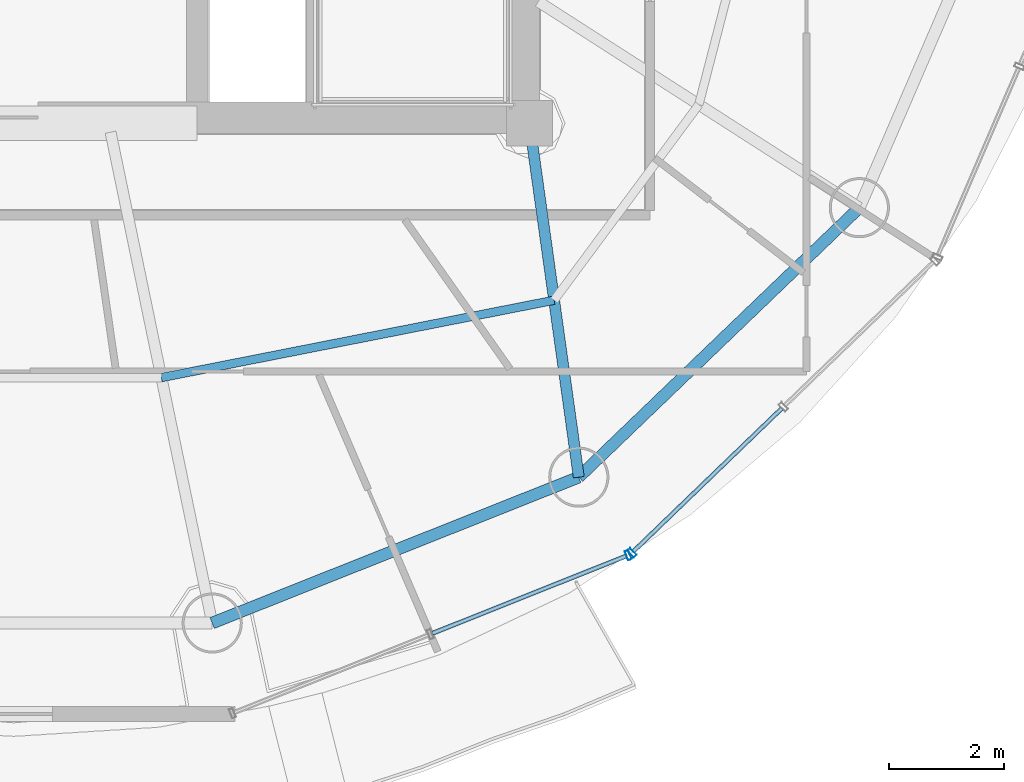
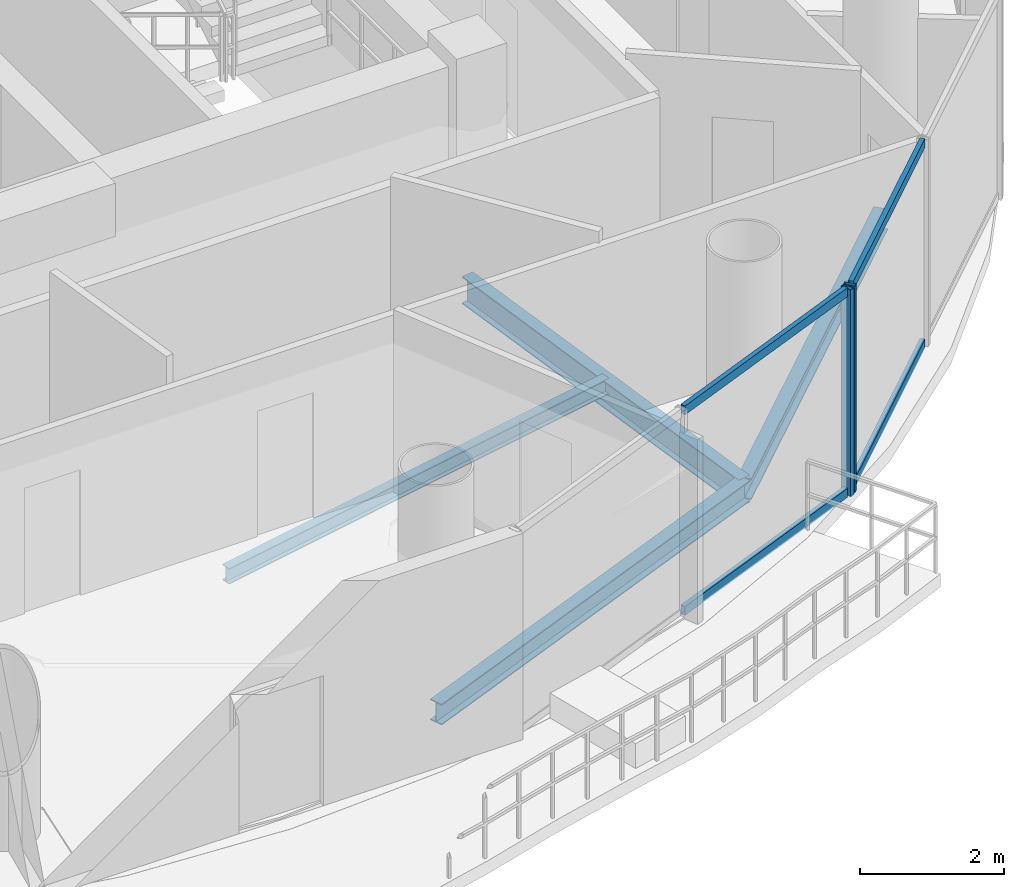
# One storey, part 6 of 23: 6 members, 4 beams, 2 elements without a shape of their own.
"""IFC4 building model written with IfcOpenShell, lengths in metres."""

from ifc_helpers import new_model, si_unit, direction, frame, origin, origin_2d, place, context, subcontext, project, spatial, hollow_rectangle, i_section, extrude, source, transform, mapped, material, material_profile, profile_set, type_object, element, aggregate, save


model = new_model("IFC4")

# Units and contexts
model_context = context("Model", 3, precision=1e-05, world=origin(), true_north=direction((-0.2419218956, 0.970295726276)))
body_context = subcontext(model_context, "Body", "Model", "MODEL_VIEW")
ifc_project = project(units=[si_unit("LENGTHUNIT", "METRE"), si_unit("AREAUNIT", "SQUARE_METRE"), si_unit("VOLUMEUNIT", "CUBIC_METRE"), si_unit("PLANEANGLEUNIT", "RADIAN"), si_unit("MASSUNIT", "GRAM", prefix="KILO")], contexts=[model_context])

# Site, building, storey
site_placement = place(None, origin())
site = spatial("IfcSite", under=ifc_project, at=site_placement, CompositionType="ELEMENT")
building_placement = place(site_placement, origin())
building = spatial("IfcBuilding", under=site, at=building_placement, Name="Cobrevalo Terracotta Tower", CompositionType="ELEMENT")
storey_placement = place(building_placement, frame((0.0, 0.0, 266.949951171875)))
storey = spatial("IfcBuildingStorey", under=building, at=storey_placement, Name="L70", CompositionType="ELEMENT", Elevation=266.949951171875)

# Beams
ifc_material_1 = material(Name="Steel S355", Category="steel")
ifc_material_profile_1 = material_profile(ifc_material_1, i_section(OverallWidth=0.19091796875, OverallDepth=0.4599609375, WebThickness=0.010009765625, FlangeThickness=0.01611328125, at=origin_2d()), Name="W 460x82")
ifc_profile_set_1 = profile_set([ifc_material_profile_1], Name="Steel S355")
beam_type_1 = type_object("IfcBeamType", Name="Structural Beam W 460x82 (Steel S355)", PredefinedType="BEAM", material=ifc_profile_set_1)
beam_1_placement = place(storey_placement, frame((47.861328125, 12.62353515625, -0.489990234375), z_axis=(-0.138115657759, 0.990416107039, 0.0), x_axis=(-0.990416107039, -0.138115657759, 0.0)))
element("IfcBeam", 1, at=beam_1_placement, inside=storey, type_object=beam_type_1, Name="L70 radial floor girder 14", PredefinedType="BEAM", context=body_context, shape_type="SweptSolid", body=[
    extrude(i_section(OverallWidth=0.19091796875, OverallDepth=0.4599609375, WebThickness=0.010009765625, FlangeThickness=0.01611328125, at=origin_2d()), origin(), (0.0, 0.0, 1.0), 6.236328125),
])
ifc_material_profile_2 = material_profile(ifc_material_1, i_section(OverallWidth=0.14794921875, OverallDepth=0.26611328125, WebThickness=0.007568359375, FlangeThickness=0.012939453125, at=origin_2d()), Name="W 250x44.8")
ifc_profile_set_2 = profile_set([ifc_material_profile_2], Name="Steel S355")
beam_type_2 = type_object("IfcBeamType", Name="Structural Joist W 250x44.8 (Steel S355)", PredefinedType="JOIST", material=ifc_profile_set_2)
beam_2_placement = place(storey_placement, frame((40.57568359375, 14.361328125, -0.39306640625), z_axis=(0.981145060421, 0.193272787563, 0.0), x_axis=(-0.193272787563, 0.981145060421, 0.0)))
element("IfcBeam", 2, at=beam_2_placement, inside=storey, type_object=beam_type_2, Name="L70 circumferential secondary floor joist 13", PredefinedType="JOIST", context=body_context, shape_type="SweptSolid", body=[
    extrude(i_section(OverallWidth=0.14794921875, OverallDepth=0.26611328125, WebThickness=0.007568359375, FlangeThickness=0.012939453125, at=origin_2d()), origin(), (0.0, 0.0, 1.0), 6.98681640625),
])
ifc_material_profile_3 = material_profile(ifc_material_1, i_section(OverallWidth=0.205078125, OverallDepth=0.35400390625, WebThickness=0.009521484375, FlangeThickness=0.016845703125, at=origin_2d()), Name="W 360x79")
ifc_profile_set_3 = profile_set([ifc_material_profile_3], Name="Steel S355")
beam_type_3 = type_object("IfcBeamType", Name="Structural Spandrel W 360x79 (Steel S355)", PredefinedType="SPANDREL", material=ifc_profile_set_3)
beam_3_placement = place(storey_placement, frame((41.462890625, 10.07763671875, -0.43701171875), z_axis=(0.929149986048, 0.369702993533, 0.0), x_axis=(-0.369702993533, 0.929149986048, 0.0)))
element("IfcBeam", 3, at=beam_3_placement, inside=storey, type_object=beam_type_3, Name="L70 perimeter ring spandrel 13", PredefinedType="SPANDREL", context=body_context, shape_type="SweptSolid", body=[
    extrude(i_section(OverallWidth=0.205078125, OverallDepth=0.35400390625, WebThickness=0.009521484375, FlangeThickness=0.016845703125, at=origin_2d()), origin(), (0.0, 0.0, 1.0), 6.88623046875),
])
beam_4_placement = place(storey_placement, frame((47.861328125, 12.62353515625, -0.43701171875), z_axis=(0.721183246144, 0.692744343522, 0.0), x_axis=(-0.692744343522, 0.721183246144, 0.0)))
element("IfcBeam", 4, at=beam_4_placement, inside=storey, type_object=beam_type_3, Name="L70 perimeter ring spandrel 14", PredefinedType="SPANDREL", context=body_context, shape_type="SweptSolid", body=[
    extrude(i_section(OverallWidth=0.205078125, OverallDepth=0.35400390625, WebThickness=0.009521484375, FlangeThickness=0.016845703125, at=origin_2d()), origin(), (0.0, 0.0, 1.0), 6.79052734375),
])

# Curtain wall, member
ifc_material_2 = material(Name="Anodized aluminium", Category="aluminium")
curtain_wall_type = type_object("IfcCurtainWallType", Name="Upper-tower triple-glazed penthouse curtain wall CW-U3", PredefinedType="NOTDEFINED", material=ifc_material_2)
curtain_wall_1_placement = place(storey_placement, origin())
curtain_wall_1 = element("IfcCurtainWall", 5, at=curtain_wall_1_placement, inside=storey, type_object=curtain_wall_type, Name="L70 curtain wall CW-L70-S13", PredefinedType="NOTDEFINED")
ifc_material_profile_4 = material_profile(ifc_material_2, hollow_rectangle(XDim=0.070068359375, YDim=0.169921875, WallThickness=0.00439453125, at=origin_2d()), Name="CWM 70x170")
ifc_profile_set_4 = profile_set([ifc_material_profile_4], Name="Anodized aluminium")
member_type_1 = type_object("IfcMemberType", Name="Upper tower unitised mullion 70x170", PredefinedType="MULLION", material=ifc_profile_set_4)
shared_shape_1 = source(origin(), body_context, "Body", "SweptSolid", [
    extrude(hollow_rectangle(XDim=0.070068359375, YDim=0.169921875, WallThickness=0.00439453125, at=origin_2d()), origin(), (0.0, 0.0, 1.0), 3.489990234375),
])
member_1_placement = place(storey_placement, frame((48.724365234375, 11.26171875, 0.0), z_axis=(0.0, 0.0, 1.0), x_axis=(0.928718980883, 0.370784377433, 0.0)))
member_1 = element("IfcMember", 6, at=member_1_placement, type_object=member_type_1, Name="CW-L70-S13 vertical mullion 03", PredefinedType="MULLION", context=body_context, shape_type="MappedRepresentation", body=[
    mapped(shared_shape_1, transform((0.0, 0.0, 0.0), scale=1.0)),
])

# Curtain wall, members
curtain_wall_2_placement = place(storey_placement, origin())
curtain_wall_2 = element("IfcCurtainWall", 7, at=curtain_wall_2_placement, inside=storey, type_object=curtain_wall_type, Name="L70 curtain wall CW-L70-S14", PredefinedType="NOTDEFINED")
member_2_placement = place(storey_placement, frame((48.790283203125, 11.30419921875, 0.0), z_axis=(0.0, 0.0, 1.0), x_axis=(0.71999418085, 0.69398010025, 0.0)))
member_2 = element("IfcMember", 8, at=member_2_placement, type_object=member_type_1, Name="CW-L70-S14 vertical mullion 01", PredefinedType="MULLION", context=body_context, shape_type="MappedRepresentation", body=[
    mapped(shared_shape_1, transform((0.0, 0.0, 0.0), scale=1.0)),
])
ifc_material_profile_5 = material_profile(ifc_material_2, hollow_rectangle(XDim=0.074951171875, YDim=0.14990234375, WallThickness=0.00439453125, at=origin_2d()), Name="CWT 75x150")
ifc_profile_set_5 = profile_set([ifc_material_profile_5], Name="Anodized aluminium")
member_type_2 = type_object("IfcMemberType", Name="Tower unitised aluminium transom 75x150", PredefinedType="USERDEFINED", material=ifc_profile_set_5)
shared_shape_2 = source(origin(), body_context, "Body", "SweptSolid", [
    extrude(hollow_rectangle(XDim=0.074951171875, YDim=0.14990234375, WallThickness=0.00439453125, at=origin_2d()), origin(), (0.0, 0.0, 1.0), 3.59130859375),
])
member_3_placement = place(storey_placement, frame((48.819091796875, 11.33203125, 0.050048828125), z_axis=(0.720005628362, 0.693968223427, 0.0), x_axis=(-0.693968223427, 0.720005628362, 0.0)))
member_3 = element("IfcMember", 9, at=member_3_placement, type_object=member_type_2, Name="CW-L70-S14 transom B01-T1", ObjectType="TRANSOM", PredefinedType="USERDEFINED", context=body_context, shape_type="MappedRepresentation", body=[
    mapped(shared_shape_2, transform((0.0, 0.0, 0.0), scale=1.0)),
])
member_4_placement = place(storey_placement, frame((48.819091796875, 11.33203125, 3.43994140625), z_axis=(0.720005628362, 0.693968223427, 0.0), x_axis=(-0.693968223427, 0.720005628362, 0.0)))
member_4 = element("IfcMember", 10, at=member_4_placement, type_object=member_type_2, Name="CW-L70-S14 transom B01-T2", ObjectType="TRANSOM", PredefinedType="USERDEFINED", context=body_context, shape_type="MappedRepresentation", body=[
    mapped(shared_shape_2, transform((0.0, 0.0, 0.0), scale=1.0)),
])
aggregate(curtain_wall_2, [member_2, member_3, member_4])

# Member
shared_shape_3 = source(origin(), body_context, "Body", "SweptSolid", [
    extrude(hollow_rectangle(XDim=0.074951171875, YDim=0.14990234375, WallThickness=0.00439453125, at=origin_2d()), origin(), (0.0, 0.0, 1.0), 3.63916015625),
])
member_5_placement = place(storey_placement, frame((45.307373046875, 9.8974609375, 0.050048828125), z_axis=(0.928712471544, 0.370800681227, 0.0), x_axis=(-0.370800681227, 0.928712471544, 0.0)))
member_5 = element("IfcMember", 11, at=member_5_placement, type_object=member_type_2, Name="CW-L70-S13 transom B02-T1", ObjectType="TRANSOM", PredefinedType="USERDEFINED", context=body_context, shape_type="MappedRepresentation", body=[
    mapped(shared_shape_3, transform((0.0, 0.0, 0.0), scale=1.0)),
])

member_6_placement = place(storey_placement, frame((45.307373046875, 9.8974609375, 3.43994140625), z_axis=(0.928712471544, 0.370800681227, 0.0), x_axis=(-0.370800681227, 0.928712471544, 0.0)))
member_6 = element("IfcMember", 12, at=member_6_placement, type_object=member_type_2, Name="CW-L70-S13 transom B02-T2", ObjectType="TRANSOM", PredefinedType="USERDEFINED", context=body_context, shape_type="MappedRepresentation", body=[
    mapped(shared_shape_3, transform((0.0, 0.0, 0.0), scale=1.0)),
])

aggregate(curtain_wall_1, [member_1, member_5, member_6])

save(model, "model.ifc")
